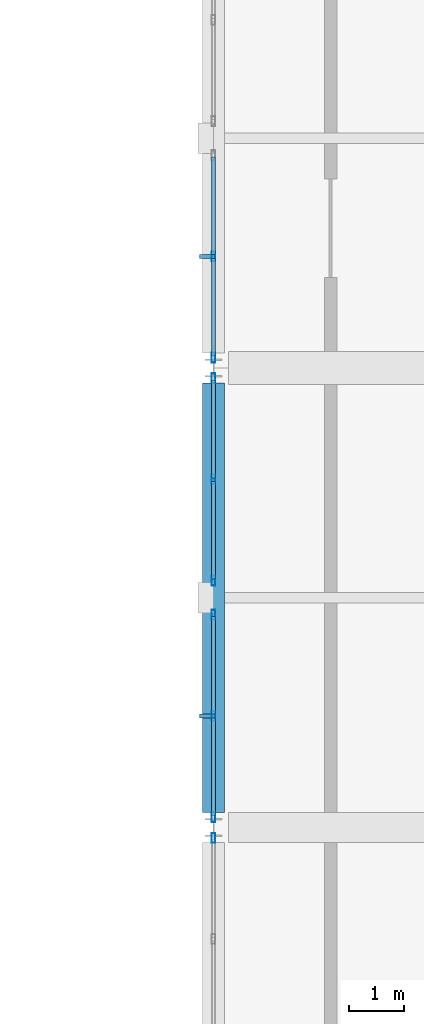
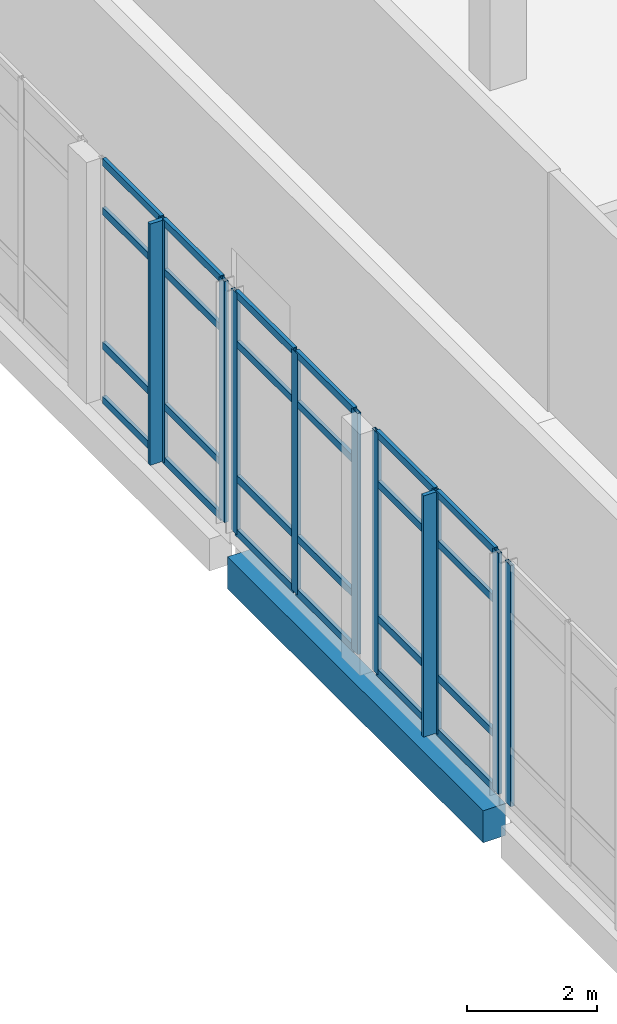
# One storey, part 29 of 102: 35 members, 1 beam, 4 elements without a shape of their own.
"""IFC4 building model written with IfcOpenShell, lengths in metres."""

import ifcopenshell
import ifcopenshell.guid

model = None  # the IFC model being written
_history = None  # IfcOwnerHistory: only IFC2X3 demands one
_inside = {}  # id of a spatial element -> (the spatial element, [elements in it])
_under = {}  # id of a project, library or spatial element -> (it, [spatial elements below it])
_declared = {}  # id of a project -> (the project, [libraries it declares])
_typed = {}  # id of a type object -> (the type object, [elements of that type])
_made_of = {}  # id of a material, layer set ... -> (it, [elements and type objects made of it])


def new_model(schema):
    """Start an empty IFC model of exactly this schema.

    Asked for "IFC4X3", IfcOpenShell would pick the latest addendum, in which some entities
    have other attributes; the version numbers below select the first issue.
    IFC2X3 requires an IfcOwnerHistory on every rooted entity: one is made here for all.
    """
    global model, _history
    if schema == "IFC4X3":
        model = ifcopenshell.file(schema_version=(4, 3, 0, 0))
    else:
        model = ifcopenshell.file(schema=schema)
    _inside.clear()
    _under.clear()
    _declared.clear()
    _typed.clear()
    _made_of.clear()
    _history = None
    if model.schema == "IFC2X3":
        org = make("IfcOrganization", Name="unknown")
        user = make(
            "IfcPersonAndOrganization",
            ThePerson=make("IfcPerson", FamilyName="unknown"),
            TheOrganization=org,
        )
        app = make(
            "IfcApplication",
            ApplicationDeveloper=org,
            Version="unknown",
            ApplicationFullName="unknown",
            ApplicationIdentifier="unknown",
        )
        _history = make(
            "IfcOwnerHistory",
            OwningUser=user,
            OwningApplication=app,
            ChangeAction="ADDED",
            CreationDate=0,
        )
    return model


def make(cls, **values):
    """One entity of the class cls with the attributes given. An attribute that is None is left unset."""
    return model.create_entity(
        cls, **{name: value for name, value in values.items() if value is not None}
    )


def rooted(cls, **values):
    """An entity with a GlobalId (a new one), such as an element, a storey or a relation."""
    return make(cls, GlobalId=ifcopenshell.guid.new(), OwnerHistory=_history, **values)


def si_unit(unit_type, name, prefix=None):
    """IfcSIUnit, for example si_unit("LENGTHUNIT", "METRE", prefix="MILLI")."""
    return make("IfcSIUnit", UnitType=unit_type, Prefix=prefix, Name=name)


def assignment(units):
    """IfcUnitAssignment: the units of a project."""
    return None if units is None else make("IfcUnitAssignment", Units=units)


def point(xyz):
    """IfcCartesianPoint."""
    return None if xyz is None else make("IfcCartesianPoint", Coordinates=xyz)


def direction(xyz):
    """IfcDirection."""
    return None if xyz is None else make("IfcDirection", DirectionRatios=xyz)


def frame(location, z_axis=None, x_axis=None):
    """IfcAxis2Placement3D, a coordinate frame: its origin and axes. An axis left out is left unset."""
    return make(
        "IfcAxis2Placement3D",
        Location=point(location),
        Axis=direction(z_axis),
        RefDirection=direction(x_axis),
    )


def frame_2d(location, x_axis=None):
    """IfcAxis2Placement2D, a coordinate frame in the plane: its origin and x axis."""
    return make(
        "IfcAxis2Placement2D", Location=point(location), RefDirection=direction(x_axis)
    )


def origin():
    """The frame at (0, 0, 0) with its axes left unset."""
    return frame((0.0, 0.0, 0.0))


def origin_2d():
    """The frame at (0, 0) in the plane with its x axis left unset."""
    return frame_2d((0.0, 0.0))


def place(relative_to, where):
    """IfcLocalPlacement: puts the frame where relative to a parent placement (None: the world)."""
    return make(
        "IfcLocalPlacement", PlacementRelTo=relative_to, RelativePlacement=where
    )


def context(
    kind, dimensions, precision=None, world=None, true_north=None, identifier=None
):
    """IfcGeometricRepresentationContext, for example the 3D "Model" context."""
    return make(
        "IfcGeometricRepresentationContext",
        ContextIdentifier=identifier,
        ContextType=kind,
        CoordinateSpaceDimension=dimensions,
        Precision=precision,
        WorldCoordinateSystem=world,
        TrueNorth=true_north,
    )


def subcontext(parent, identifier, kind, view, scale=None):
    """IfcGeometricRepresentationSubContext, for example "Body" below "Model"."""
    return make(
        "IfcGeometricRepresentationSubContext",
        ContextIdentifier=identifier,
        ContextType=kind,
        ParentContext=parent,
        TargetScale=scale,
        TargetView=view,
    )


def project(units=None, contexts=None):
    """IfcProject with its units and contexts."""
    return rooted(
        "IfcProject",
        Name="project",
        RepresentationContexts=contexts,
        UnitsInContext=assignment(units),
    )


def spatial(cls, under=None, at=None, **own):
    """A site, building, storey or space (cls), placed at a placement, below another one or the project."""
    s = rooted(cls, ObjectPlacement=at, **own)
    if under is not None:
        _under.setdefault(under.id(), (under, []))[1].append(s)
    return s


def profile(cls, at=None, kind="AREA", **sizes):
    """A parametric profile (cls). Its sizes go by their IFC names, for example OverallWidth=200.0."""
    return make(cls, ProfileType=kind, Position=at, **sizes)


def rectangle(**sizes):
    """IfcRectangleProfileDef."""
    return profile("IfcRectangleProfileDef", **sizes)


def hollow_rectangle(**sizes):
    """IfcRectangleHollowProfileDef."""
    return profile("IfcRectangleHollowProfileDef", **sizes)


def extrude(swept, where, along, depth):
    """IfcExtrudedAreaSolid: the profile swept, set in the frame where, extruded along a direction by depth."""
    return make(
        "IfcExtrudedAreaSolid",
        SweptArea=swept,
        Position=where,
        ExtrudedDirection=direction(along),
        Depth=depth,
    )


def shape(context_of_items, identifier, shape_type, items):
    """IfcShapeRepresentation: the items that make up one representation, for example the "Body"."""
    return make(
        "IfcShapeRepresentation",
        ContextOfItems=context_of_items,
        RepresentationIdentifier=identifier,
        RepresentationType=shape_type,
        Items=items,
    )


def material(Name=None, Category=None):
    """IfcMaterial."""
    return make("IfcMaterial", Name=Name, Category=Category)


def layer(
    of_material, thickness, ventilated=None, Name=None, Category=None, Priority=None
):
    """IfcMaterialLayer: one layer of a wall or slab, of a material (None: an air gap)."""
    return make(
        "IfcMaterialLayer",
        Material=of_material,
        LayerThickness=thickness,
        IsVentilated=ventilated,
        Name=Name,
        Category=Category,
        Priority=Priority,
    )


def layer_set(layers, Name=None):
    """IfcMaterialLayerSet."""
    return make("IfcMaterialLayerSet", MaterialLayers=layers, LayerSetName=Name)


def material_profile(
    of_material, cross_section, Name=None, Category=None, Priority=None
):
    """IfcMaterialProfile: a cross section and its material."""
    return make(
        "IfcMaterialProfile",
        Name=Name,
        Material=of_material,
        Profile=cross_section,
        Priority=Priority,
        Category=Category,
    )


def profile_set(profiles, Name=None, composite=None):
    """IfcMaterialProfileSet."""
    return make(
        "IfcMaterialProfileSet",
        Name=Name,
        MaterialProfiles=profiles,
        CompositeProfile=composite,
    )


def made_of(thing, what):
    """Note that an element or type object is made of a material, layer set ...; save() writes the relation."""
    if what is not None:
        _made_of.setdefault(what.id(), (what, []))[1].append(thing)
    return thing


def type_object(cls, material=None, **own):
    """A type object (cls), such as IfcWallType, which elements share."""
    return made_of(rooted(cls, **own), material)


def element(
    cls,
    number,
    at=None,
    inside=None,
    cuts=None,
    type_object=None,
    material=None,
    context=None,
    identifier="Body",
    shape_type=None,
    held_by="IfcProductDefinitionShape",
    body=None,
    shapes=None,
    **own,
):
    """One element of the class cls, such as IfcWall. Its Tag is "e" and its number.

    at: its placement. inside: the storey or other place that contains it. cuts: it is an
    opening in that element (IfcRelVoidsElement). A single representation is given by context,
    identifier, shape_type and body (its items); several are given by shapes. held_by: the class
    of the entity that holds the representations. save() writes the other relations.
    """
    e = rooted(cls, Tag="e%d" % number, ObjectPlacement=at, **own)
    if body is not None:
        shapes = [shape(context, identifier, shape_type, body)]
    if shapes is not None:
        e.Representation = make(held_by, Representations=shapes)
    if inside is not None:
        _inside.setdefault(inside.id(), (inside, []))[1].append(e)
    if cuts is not None:
        rooted(
            "IfcRelVoidsElement", RelatingBuildingElement=cuts, RelatedOpeningElement=e
        )
    if type_object is not None:
        _typed.setdefault(type_object.id(), (type_object, []))[1].append(e)
    return made_of(e, material)


def aggregate(whole, parts):
    """IfcRelAggregates: a whole, such as a stair, and the parts it consists of."""
    return rooted("IfcRelAggregates", RelatingObject=whole, RelatedObjects=parts)


def save(model, path):
    """Write the relations noted so far, then the file.

    IfcRelAggregates (storeys below a building ...), IfcRelContainedInSpatialStructure (elements
    in a storey), IfcRelDefinesByType, IfcRelAssociatesMaterial and IfcRelDeclares: one each for
    every whole, place, type object, material and project.
    """
    for whole, parts in _under.values():
        aggregate(whole, parts)
    for where, things in _inside.values():
        rooted(
            "IfcRelContainedInSpatialStructure",
            RelatedElements=things,
            RelatingStructure=where,
        )
    for kind, things in _typed.values():
        rooted("IfcRelDefinesByType", RelatedObjects=things, RelatingType=kind)
    for what, things in _made_of.values():
        rooted("IfcRelAssociatesMaterial", RelatedObjects=things, RelatingMaterial=what)
    for by, libraries in _declared.values():
        rooted("IfcRelDeclares", RelatingContext=by, RelatedDefinitions=libraries)
    model.write(path)


model = new_model("IFC4")

# Units and contexts
model_context = context("Model", 3, precision=1e-05, world=origin(), true_north=direction((0.0, 1.0)))
body_context = subcontext(model_context, "Body", "Model", "MODEL_VIEW")
ifc_project = project(units=[si_unit("LENGTHUNIT", "METRE"), si_unit("AREAUNIT", "SQUARE_METRE"), si_unit("VOLUMEUNIT", "CUBIC_METRE"), si_unit("PLANEANGLEUNIT", "RADIAN"), si_unit("MASSUNIT", "GRAM", prefix="KILO")], contexts=[model_context])

# Site, building, storey
site_placement = place(None, origin())
site = spatial("IfcSite", under=ifc_project, at=site_placement, CompositionType="ELEMENT")
building_placement = place(site_placement, origin())
building = spatial("IfcBuilding", under=site, at=building_placement, Name="Lornevale Opera House", CompositionType="ELEMENT")
storey_placement = place(building_placement, frame((0.0, 0.0, 5.39990234375)))
storey = spatial("IfcBuildingStorey", under=building, at=storey_placement, Name="L02", CompositionType="ELEMENT", Elevation=5.39990234375)

# Beam
ifc_material_1 = material(Name="Concrete 35 MPa (CSA A23.1 N)", Category="concrete")
ifc_material_profile_1 = material_profile(ifc_material_1, rectangle(XDim=0.39990234375, YDim=0.60009765625, at=origin_2d()), Name="RC400x600")
ifc_profile_set_1 = profile_set([ifc_material_profile_1], Name="Concrete 35 MPa (CSA A23.1 N)")
beam_type = type_object("IfcBeamType", Name="Concrete Spandrel Beam 400x600", PredefinedType="SPANDREL", material=ifc_profile_set_1)
beam_placement = place(storey_placement, frame((28.800048828125, 33.875, -0.64990234375), z_axis=(0.0, 1.0, 0.0), x_axis=(-1.0, 0.0, 0.0)))
element("IfcBeam", 1, at=beam_placement, inside=storey, type_object=beam_type, Name="Concrete Spandrel Beam 400x600 1849", PredefinedType="SPANDREL", context=body_context, shape_type="SweptSolid", body=[
    extrude(rectangle(XDim=0.39990234375, YDim=0.60009765625, at=origin_2d()), origin(), (0.0, 0.0, 1.0), 7.85009765625),
])

# Curtain wall, member
ifc_material_2 = material(Name="Anodized Oxide-Green Aluminium Framing", Category="aluminium")
ifc_layer = layer(ifc_material_2, 0.175048828125)
ifc_layer_set = layer_set([ifc_layer], Name="Anodized Oxide-Green Aluminium Framing")
curtain_wall_type = type_object("IfcCurtainWallType", Name="Chamber Cloister Curtain Wall M1700", PredefinedType="NOTDEFINED", material=ifc_layer_set)
curtain_wall_1_placement = place(storey_placement, origin())
curtain_wall_1 = element("IfcCurtainWall", 2, at=curtain_wall_1_placement, inside=storey, type_object=curtain_wall_type, Name="Chamber Cloister Curtain Wall M1700 CW-052", PredefinedType="NOTDEFINED")
ifc_material_profile_2 = material_profile(ifc_material_2, hollow_rectangle(XDim=0.06494140625, YDim=0.179931640625, WallThickness=0.0048828125, at=origin_2d()), Name="ALU65x180x5")
ifc_profile_set_2 = profile_set([ifc_material_profile_2], Name="Anodized Oxide-Green Aluminium Framing")
member_type_1 = type_object("IfcMemberType", Name="Curtain Wall Mullion 65x180", PredefinedType="MULLION", material=ifc_profile_set_2)
member_1_placement = place(storey_placement, frame((28.800048828125, 33.409912109375, 0.0), z_axis=(0.0, 0.0, 1.0), x_axis=(-1.0, 0.0, 0.0)))
member_1 = element("IfcMember", 3, at=member_1_placement, type_object=member_type_1, Name="Curtain Wall Mullion 65x180 CW1062", PredefinedType="MULLION", context=body_context, shape_type="SweptSolid", body=[
    extrude(hollow_rectangle(XDim=0.06494140625, YDim=0.179931640625, WallThickness=0.0048828125, at=origin_2d()), origin(), (0.0, 0.0, 1.0), 4.52001953125),
])
aggregate(curtain_wall_1, [member_1])

# Curtain wall, members
curtain_wall_2_placement = place(storey_placement, origin())
curtain_wall_2 = element("IfcCurtainWall", 4, at=curtain_wall_2_placement, inside=storey, type_object=curtain_wall_type, Name="Chamber Cloister Curtain Wall M1700 CW-053", PredefinedType="NOTDEFINED")
member_2_placement = place(storey_placement, frame((28.800048828125, 33.7900390625, 0.0), z_axis=(0.0, 0.0, 1.0), x_axis=(-1.0, 0.0, 0.0)))
member_2 = element("IfcMember", 5, at=member_2_placement, type_object=member_type_1, Name="Curtain Wall Mullion 65x180 CW1077", PredefinedType="MULLION", context=body_context, shape_type="SweptSolid", body=[
    extrude(hollow_rectangle(XDim=0.06494140625, YDim=0.179931640625, WallThickness=0.0048828125, at=origin_2d()), origin(), (0.0, 0.0, 1.0), 4.52001953125),
])
member_3_placement = place(storey_placement, frame((28.800048828125, 35.638916015625, 0.0), z_axis=(0.0, 0.0, 1.0), x_axis=(-1.0, 0.0, 0.0)))
member_3 = element("IfcMember", 6, at=member_3_placement, type_object=member_type_1, Name="Curtain Wall Mullion 65x180 CW1078", PredefinedType="MULLION", context=body_context, shape_type="SweptSolid", body=[
    extrude(hollow_rectangle(XDim=0.06494140625, YDim=0.179931640625, WallThickness=0.0048828125, at=origin_2d()), origin(), (0.0, 0.0, 1.0), 4.52001953125),
])
member_4_placement = place(storey_placement, frame((28.800048828125, 37.487548828125, 0.0), z_axis=(0.0, 0.0, 1.0), x_axis=(-1.0, 0.0, 0.0)))
member_4 = element("IfcMember", 7, at=member_4_placement, type_object=member_type_1, Name="Curtain Wall Mullion 65x180 CW1079", PredefinedType="MULLION", context=body_context, shape_type="SweptSolid", body=[
    extrude(hollow_rectangle(XDim=0.06494140625, YDim=0.179931640625, WallThickness=0.0048828125, at=origin_2d()), origin(), (0.0, 0.0, 1.0), 4.52001953125),
])

curtain_wall_3_placement = place(storey_placement, origin())
curtain_wall_3 = element("IfcCurtainWall", 8, at=curtain_wall_3_placement, inside=storey, type_object=curtain_wall_type, Name="Chamber Cloister Curtain Wall M1700 CW-054", PredefinedType="NOTDEFINED")
member_5_placement = place(storey_placement, frame((28.800048828125, 38.112548828125, 0.0), z_axis=(0.0, 0.0, 1.0), x_axis=(-1.0, 0.0, 0.0)))
member_5 = element("IfcMember", 9, at=member_5_placement, type_object=member_type_1, Name="Curtain Wall Mullion 65x180 CW1094", PredefinedType="MULLION", context=body_context, shape_type="SweptSolid", body=[
    extrude(hollow_rectangle(XDim=0.06494140625, YDim=0.179931640625, WallThickness=0.0048828125, at=origin_2d()), origin(), (0.0, 0.0, 1.0), 4.52001953125),
])
member_6_placement = place(storey_placement, frame((28.800048828125, 39.961181640625, 0.0), z_axis=(0.0, 0.0, 1.0), x_axis=(-1.0, 0.0, 0.0)))
member_6 = element("IfcMember", 10, at=member_6_placement, type_object=member_type_1, Name="Curtain Wall Mullion 65x180 CW1095", PredefinedType="MULLION", context=body_context, shape_type="SweptSolid", body=[
    extrude(hollow_rectangle(XDim=0.06494140625, YDim=0.179931640625, WallThickness=0.0048828125, at=origin_2d()), origin(), (0.0, 0.0, 1.0), 4.52001953125),
])
member_7_placement = place(storey_placement, frame((28.800048828125, 41.81005859375, 0.0), z_axis=(0.0, 0.0, 1.0), x_axis=(-1.0, 0.0, 0.0)))
member_7 = element("IfcMember", 11, at=member_7_placement, type_object=member_type_1, Name="Curtain Wall Mullion 65x180 CW1096", PredefinedType="MULLION", context=body_context, shape_type="SweptSolid", body=[
    extrude(hollow_rectangle(XDim=0.06494140625, YDim=0.179931640625, WallThickness=0.0048828125, at=origin_2d()), origin(), (0.0, 0.0, 1.0), 4.52001953125),
])

curtain_wall_4_placement = place(storey_placement, origin())
curtain_wall_4 = element("IfcCurtainWall", 12, at=curtain_wall_4_placement, inside=storey, type_object=curtain_wall_type, Name="Chamber Cloister Curtain Wall M1700 CW-055", PredefinedType="NOTDEFINED")
member_8_placement = place(storey_placement, frame((28.800048828125, 42.18994140625, 0.0), z_axis=(0.0, 0.0, 1.0), x_axis=(-1.0, 0.0, 0.0)))
member_8 = element("IfcMember", 13, at=member_8_placement, type_object=member_type_1, Name="Curtain Wall Mullion 65x180 CW1111", PredefinedType="MULLION", context=body_context, shape_type="SweptSolid", body=[
    extrude(hollow_rectangle(XDim=0.06494140625, YDim=0.179931640625, WallThickness=0.0048828125, at=origin_2d()), origin(), (0.0, 0.0, 1.0), 4.52001953125),
])
member_9_placement = place(storey_placement, frame((28.800048828125, 44.038818359375, 0.0), z_axis=(0.0, 0.0, 1.0), x_axis=(-1.0, 0.0, 0.0)))
member_9 = element("IfcMember", 14, at=member_9_placement, type_object=member_type_1, Name="Curtain Wall Mullion 65x180 CW1112", PredefinedType="MULLION", context=body_context, shape_type="SweptSolid", body=[
    extrude(hollow_rectangle(XDim=0.06494140625, YDim=0.179931640625, WallThickness=0.0048828125, at=origin_2d()), origin(), (0.0, 0.0, 1.0), 4.52001953125),
])

# Member
ifc_material_profile_3 = material_profile(ifc_material_2, hollow_rectangle(XDim=0.06494140625, YDim=0.135009765625, WallThickness=0.00390625, at=origin_2d()), Name="ALU65x135x4")
ifc_profile_set_3 = profile_set([ifc_material_profile_3], Name="Anodized Oxide-Green Aluminium Framing")
member_type_2 = type_object("IfcMemberType", Name="Curtain Wall Transom 65x135", PredefinedType="USERDEFINED", material=ifc_profile_set_3)
member_10_placement = place(storey_placement, frame((28.800048828125, 33.822509765625, 0.03271484375), z_axis=(0.0, 1.0, 0.0), x_axis=(-1.0, 0.0, 0.0)))
member_10 = element("IfcMember", 15, at=member_10_placement, type_object=member_type_2, Name="Curtain Wall Transom 65x135 CW1080", ObjectType="TRANSOM", PredefinedType="USERDEFINED", context=body_context, shape_type="SweptSolid", body=[
    extrude(hollow_rectangle(XDim=0.06494140625, YDim=0.135009765625, WallThickness=0.00390625, at=origin_2d()), origin(), (0.0, 0.0, 1.0), 1.78369140625),
])

member_11_placement = place(storey_placement, frame((28.800048828125, 33.822509765625, 1.050048828125), z_axis=(0.0, 1.0, 0.0), x_axis=(-1.0, 0.0, 0.0)))
member_11 = element("IfcMember", 16, at=member_11_placement, type_object=member_type_2, Name="Curtain Wall Transom 65x135 CW1081", ObjectType="TRANSOM", PredefinedType="USERDEFINED", context=body_context, shape_type="SweptSolid", body=[
    extrude(hollow_rectangle(XDim=0.06494140625, YDim=0.135009765625, WallThickness=0.00390625, at=origin_2d()), origin(), (0.0, 0.0, 1.0), 1.78369140625),
])

member_12_placement = place(storey_placement, frame((28.800048828125, 33.822509765625, 3.570068359375), z_axis=(0.0, 1.0, 0.0), x_axis=(-1.0, 0.0, 0.0)))
member_12 = element("IfcMember", 17, at=member_12_placement, type_object=member_type_2, Name="Curtain Wall Transom 65x135 CW1082", ObjectType="TRANSOM", PredefinedType="USERDEFINED", context=body_context, shape_type="SweptSolid", body=[
    extrude(hollow_rectangle(XDim=0.06494140625, YDim=0.135009765625, WallThickness=0.00390625, at=origin_2d()), origin(), (0.0, 0.0, 1.0), 1.78369140625),
])

member_13_placement = place(storey_placement, frame((28.800048828125, 33.822509765625, 4.487548828125), z_axis=(0.0, 1.0, 0.0), x_axis=(-1.0, 0.0, 0.0)))
member_13 = element("IfcMember", 18, at=member_13_placement, type_object=member_type_2, Name="Curtain Wall Transom 65x135 CW1083", ObjectType="TRANSOM", PredefinedType="USERDEFINED", context=body_context, shape_type="SweptSolid", body=[
    extrude(hollow_rectangle(XDim=0.06494140625, YDim=0.135009765625, WallThickness=0.00390625, at=origin_2d()), origin(), (0.0, 0.0, 1.0), 1.78369140625),
])

member_14_placement = place(storey_placement, frame((28.800048828125, 35.67138671875, 0.03271484375), z_axis=(0.0, 1.0, 0.0), x_axis=(-1.0, 0.0, 0.0)))
member_14 = element("IfcMember", 19, at=member_14_placement, type_object=member_type_2, Name="Curtain Wall Transom 65x135 CW1087", ObjectType="TRANSOM", PredefinedType="USERDEFINED", context=body_context, shape_type="SweptSolid", body=[
    extrude(hollow_rectangle(XDim=0.06494140625, YDim=0.135009765625, WallThickness=0.00390625, at=origin_2d()), origin(), (0.0, 0.0, 1.0), 1.78369140625),
])

member_15_placement = place(storey_placement, frame((28.800048828125, 35.67138671875, 1.050048828125), z_axis=(0.0, 1.0, 0.0), x_axis=(-1.0, 0.0, 0.0)))
member_15 = element("IfcMember", 20, at=member_15_placement, type_object=member_type_2, Name="Curtain Wall Transom 65x135 CW1088", ObjectType="TRANSOM", PredefinedType="USERDEFINED", context=body_context, shape_type="SweptSolid", body=[
    extrude(hollow_rectangle(XDim=0.06494140625, YDim=0.135009765625, WallThickness=0.00390625, at=origin_2d()), origin(), (0.0, 0.0, 1.0), 1.78369140625),
])

member_16_placement = place(storey_placement, frame((28.800048828125, 35.67138671875, 3.570068359375), z_axis=(0.0, 1.0, 0.0), x_axis=(-1.0, 0.0, 0.0)))
member_16 = element("IfcMember", 21, at=member_16_placement, type_object=member_type_2, Name="Curtain Wall Transom 65x135 CW1089", ObjectType="TRANSOM", PredefinedType="USERDEFINED", context=body_context, shape_type="SweptSolid", body=[
    extrude(hollow_rectangle(XDim=0.06494140625, YDim=0.135009765625, WallThickness=0.00390625, at=origin_2d()), origin(), (0.0, 0.0, 1.0), 1.78369140625),
])

member_17_placement = place(storey_placement, frame((28.800048828125, 35.67138671875, 4.487548828125), z_axis=(0.0, 1.0, 0.0), x_axis=(-1.0, 0.0, 0.0)))
member_17 = element("IfcMember", 22, at=member_17_placement, type_object=member_type_2, Name="Curtain Wall Transom 65x135 CW1090", ObjectType="TRANSOM", PredefinedType="USERDEFINED", context=body_context, shape_type="SweptSolid", body=[
    extrude(hollow_rectangle(XDim=0.06494140625, YDim=0.135009765625, WallThickness=0.00390625, at=origin_2d()), origin(), (0.0, 0.0, 1.0), 1.78369140625),
])

member_18_placement = place(storey_placement, frame((28.800048828125, 38.14501953125, 0.03271484375), z_axis=(0.0, 1.0, 0.0), x_axis=(-1.0, 0.0, 0.0)))
member_18 = element("IfcMember", 23, at=member_18_placement, type_object=member_type_2, Name="Curtain Wall Transom 65x135 CW1097", ObjectType="TRANSOM", PredefinedType="USERDEFINED", context=body_context, shape_type="SweptSolid", body=[
    extrude(hollow_rectangle(XDim=0.06494140625, YDim=0.135009765625, WallThickness=0.00390625, at=origin_2d()), origin(), (0.0, 0.0, 1.0), 1.78369140625),
])

member_19_placement = place(storey_placement, frame((28.800048828125, 38.14501953125, 1.050048828125), z_axis=(0.0, 1.0, 0.0), x_axis=(-1.0, 0.0, 0.0)))
member_19 = element("IfcMember", 24, at=member_19_placement, type_object=member_type_2, Name="Curtain Wall Transom 65x135 CW1098", ObjectType="TRANSOM", PredefinedType="USERDEFINED", context=body_context, shape_type="SweptSolid", body=[
    extrude(hollow_rectangle(XDim=0.06494140625, YDim=0.135009765625, WallThickness=0.00390625, at=origin_2d()), origin(), (0.0, 0.0, 1.0), 1.78369140625),
])

member_20_placement = place(storey_placement, frame((28.800048828125, 38.14501953125, 3.570068359375), z_axis=(0.0, 1.0, 0.0), x_axis=(-1.0, 0.0, 0.0)))
member_20 = element("IfcMember", 25, at=member_20_placement, type_object=member_type_2, Name="Curtain Wall Transom 65x135 CW1099", ObjectType="TRANSOM", PredefinedType="USERDEFINED", context=body_context, shape_type="SweptSolid", body=[
    extrude(hollow_rectangle(XDim=0.06494140625, YDim=0.135009765625, WallThickness=0.00390625, at=origin_2d()), origin(), (0.0, 0.0, 1.0), 1.78369140625),
])

member_21_placement = place(storey_placement, frame((28.800048828125, 38.14501953125, 4.487548828125), z_axis=(0.0, 1.0, 0.0), x_axis=(-1.0, 0.0, 0.0)))
member_21 = element("IfcMember", 26, at=member_21_placement, type_object=member_type_2, Name="Curtain Wall Transom 65x135 CW1100", ObjectType="TRANSOM", PredefinedType="USERDEFINED", context=body_context, shape_type="SweptSolid", body=[
    extrude(hollow_rectangle(XDim=0.06494140625, YDim=0.135009765625, WallThickness=0.00390625, at=origin_2d()), origin(), (0.0, 0.0, 1.0), 1.78369140625),
])

member_22_placement = place(storey_placement, frame((28.800048828125, 39.99365234375, 0.03271484375), z_axis=(0.0, 1.0, 0.0), x_axis=(-1.0, 0.0, 0.0)))
member_22 = element("IfcMember", 27, at=member_22_placement, type_object=member_type_2, Name="Curtain Wall Transom 65x135 CW1104", ObjectType="TRANSOM", PredefinedType="USERDEFINED", context=body_context, shape_type="SweptSolid", body=[
    extrude(hollow_rectangle(XDim=0.06494140625, YDim=0.135009765625, WallThickness=0.00390625, at=origin_2d()), origin(), (0.0, 0.0, 1.0), 1.783935546875),
])

member_23_placement = place(storey_placement, frame((28.800048828125, 39.99365234375, 1.050048828125), z_axis=(0.0, 1.0, 0.0), x_axis=(-1.0, 0.0, 0.0)))
member_23 = element("IfcMember", 28, at=member_23_placement, type_object=member_type_2, Name="Curtain Wall Transom 65x135 CW1105", ObjectType="TRANSOM", PredefinedType="USERDEFINED", context=body_context, shape_type="SweptSolid", body=[
    extrude(hollow_rectangle(XDim=0.06494140625, YDim=0.135009765625, WallThickness=0.00390625, at=origin_2d()), origin(), (0.0, 0.0, 1.0), 1.783935546875),
])

member_24_placement = place(storey_placement, frame((28.800048828125, 39.99365234375, 3.570068359375), z_axis=(0.0, 1.0, 0.0), x_axis=(-1.0, 0.0, 0.0)))
member_24 = element("IfcMember", 29, at=member_24_placement, type_object=member_type_2, Name="Curtain Wall Transom 65x135 CW1106", ObjectType="TRANSOM", PredefinedType="USERDEFINED", context=body_context, shape_type="SweptSolid", body=[
    extrude(hollow_rectangle(XDim=0.06494140625, YDim=0.135009765625, WallThickness=0.00390625, at=origin_2d()), origin(), (0.0, 0.0, 1.0), 1.783935546875),
])

member_25_placement = place(storey_placement, frame((28.800048828125, 39.99365234375, 4.487548828125), z_axis=(0.0, 1.0, 0.0), x_axis=(-1.0, 0.0, 0.0)))
member_25 = element("IfcMember", 30, at=member_25_placement, type_object=member_type_2, Name="Curtain Wall Transom 65x135 CW1107", ObjectType="TRANSOM", PredefinedType="USERDEFINED", context=body_context, shape_type="SweptSolid", body=[
    extrude(hollow_rectangle(XDim=0.06494140625, YDim=0.135009765625, WallThickness=0.00390625, at=origin_2d()), origin(), (0.0, 0.0, 1.0), 1.783935546875),
])

aggregate(curtain_wall_3, [member_5, member_6, member_7, member_18, member_19, member_20, member_21, member_22, member_23, member_24, member_25])

member_26_placement = place(storey_placement, frame((28.800048828125, 42.222412109375, 0.03271484375), z_axis=(0.0, 1.0, 0.0), x_axis=(-1.0, 0.0, 0.0)))
member_26 = element("IfcMember", 31, at=member_26_placement, type_object=member_type_2, Name="Curtain Wall Transom 65x135 CW1114", ObjectType="TRANSOM", PredefinedType="USERDEFINED", context=body_context, shape_type="SweptSolid", body=[
    extrude(hollow_rectangle(XDim=0.06494140625, YDim=0.135009765625, WallThickness=0.00390625, at=origin_2d()), origin(), (0.0, 0.0, 1.0), 1.783935546875),
])

member_27_placement = place(storey_placement, frame((28.800048828125, 42.222412109375, 1.050048828125), z_axis=(0.0, 1.0, 0.0), x_axis=(-1.0, 0.0, 0.0)))
member_27 = element("IfcMember", 32, at=member_27_placement, type_object=member_type_2, Name="Curtain Wall Transom 65x135 CW1115", ObjectType="TRANSOM", PredefinedType="USERDEFINED", context=body_context, shape_type="SweptSolid", body=[
    extrude(hollow_rectangle(XDim=0.06494140625, YDim=0.135009765625, WallThickness=0.00390625, at=origin_2d()), origin(), (0.0, 0.0, 1.0), 1.783935546875),
])

member_28_placement = place(storey_placement, frame((28.800048828125, 42.222412109375, 3.570068359375), z_axis=(0.0, 1.0, 0.0), x_axis=(-1.0, 0.0, 0.0)))
member_28 = element("IfcMember", 33, at=member_28_placement, type_object=member_type_2, Name="Curtain Wall Transom 65x135 CW1116", ObjectType="TRANSOM", PredefinedType="USERDEFINED", context=body_context, shape_type="SweptSolid", body=[
    extrude(hollow_rectangle(XDim=0.06494140625, YDim=0.135009765625, WallThickness=0.00390625, at=origin_2d()), origin(), (0.0, 0.0, 1.0), 1.783935546875),
])

member_29_placement = place(storey_placement, frame((28.800048828125, 42.222412109375, 4.487548828125), z_axis=(0.0, 1.0, 0.0), x_axis=(-1.0, 0.0, 0.0)))
member_29 = element("IfcMember", 34, at=member_29_placement, type_object=member_type_2, Name="Curtain Wall Transom 65x135 CW1117", ObjectType="TRANSOM", PredefinedType="USERDEFINED", context=body_context, shape_type="SweptSolid", body=[
    extrude(hollow_rectangle(XDim=0.06494140625, YDim=0.135009765625, WallThickness=0.00390625, at=origin_2d()), origin(), (0.0, 0.0, 1.0), 1.783935546875),
])

member_30_placement = place(storey_placement, frame((28.800048828125, 44.0712890625, 0.03271484375), z_axis=(0.0, 1.0, 0.0), x_axis=(-1.0, 0.0, 0.0)))
member_30 = element("IfcMember", 35, at=member_30_placement, type_object=member_type_2, Name="Curtain Wall Transom 65x135 CW1121", ObjectType="TRANSOM", PredefinedType="USERDEFINED", context=body_context, shape_type="SweptSolid", body=[
    extrude(hollow_rectangle(XDim=0.06494140625, YDim=0.135009765625, WallThickness=0.00390625, at=origin_2d()), origin(), (0.0, 0.0, 1.0), 1.78369140625),
])

member_31_placement = place(storey_placement, frame((28.800048828125, 44.0712890625, 1.050048828125), z_axis=(0.0, 1.0, 0.0), x_axis=(-1.0, 0.0, 0.0)))
member_31 = element("IfcMember", 36, at=member_31_placement, type_object=member_type_2, Name="Curtain Wall Transom 65x135 CW1122", ObjectType="TRANSOM", PredefinedType="USERDEFINED", context=body_context, shape_type="SweptSolid", body=[
    extrude(hollow_rectangle(XDim=0.06494140625, YDim=0.135009765625, WallThickness=0.00390625, at=origin_2d()), origin(), (0.0, 0.0, 1.0), 1.78369140625),
])

member_32_placement = place(storey_placement, frame((28.800048828125, 44.0712890625, 3.570068359375), z_axis=(0.0, 1.0, 0.0), x_axis=(-1.0, 0.0, 0.0)))
member_32 = element("IfcMember", 37, at=member_32_placement, type_object=member_type_2, Name="Curtain Wall Transom 65x135 CW1123", ObjectType="TRANSOM", PredefinedType="USERDEFINED", context=body_context, shape_type="SweptSolid", body=[
    extrude(hollow_rectangle(XDim=0.06494140625, YDim=0.135009765625, WallThickness=0.00390625, at=origin_2d()), origin(), (0.0, 0.0, 1.0), 1.78369140625),
])

member_33_placement = place(storey_placement, frame((28.800048828125, 44.0712890625, 4.487548828125), z_axis=(0.0, 1.0, 0.0), x_axis=(-1.0, 0.0, 0.0)))
member_33 = element("IfcMember", 38, at=member_33_placement, type_object=member_type_2, Name="Curtain Wall Transom 65x135 CW1124", ObjectType="TRANSOM", PredefinedType="USERDEFINED", context=body_context, shape_type="SweptSolid", body=[
    extrude(hollow_rectangle(XDim=0.06494140625, YDim=0.135009765625, WallThickness=0.00390625, at=origin_2d()), origin(), (0.0, 0.0, 1.0), 1.78369140625),
])

ifc_material_3 = material(Name="Architectural Bronze Solar Louvre Alloy", Category="metal")
ifc_material_profile_4 = material_profile(ifc_material_3, rectangle(XDim=0.070068359375, YDim=0.300048828125, at=origin_2d()), Name="FIN70x300")
ifc_profile_set_4 = profile_set([ifc_material_profile_4], Name="Architectural Bronze Solar Louvre Alloy")
member_type_3 = type_object("IfcMemberType", Name="Solar Shading Fin 70x300", PredefinedType="USERDEFINED", material=ifc_profile_set_4)
member_34_placement = place(storey_placement, frame((28.695068359375, 35.638916015625, 0.0), z_axis=(0.0, 0.0, 1.0), x_axis=(0.0, 1.0, 0.0)))
member_34 = element("IfcMember", 39, at=member_34_placement, type_object=member_type_3, Name="Solar Shading Fin 70x300 FIN0021", ObjectType="SOLAR FIN", PredefinedType="USERDEFINED", context=body_context, shape_type="SweptSolid", body=[
    extrude(rectangle(XDim=0.070068359375, YDim=0.300048828125, at=origin_2d()), origin(), (0.0, 0.0, 1.0), 4.52001953125),
])

aggregate(curtain_wall_2, [member_2, member_3, member_4, member_10, member_11, member_12, member_13, member_14, member_15, member_16, member_17, member_34])

member_35_placement = place(storey_placement, frame((28.695068359375, 44.038818359375, 0.0), z_axis=(0.0, 0.0, 1.0), x_axis=(0.0, 1.0, 0.0)))
member_35 = element("IfcMember", 40, at=member_35_placement, type_object=member_type_3, Name="Solar Shading Fin 70x300 FIN0022", ObjectType="SOLAR FIN", PredefinedType="USERDEFINED", context=body_context, shape_type="SweptSolid", body=[
    extrude(rectangle(XDim=0.070068359375, YDim=0.300048828125, at=origin_2d()), origin(), (0.0, 0.0, 1.0), 4.52001953125),
])

aggregate(curtain_wall_4, [member_8, member_9, member_26, member_27, member_28, member_29, member_30, member_31, member_32, member_33, member_35])

save(model, "model.ifc")
